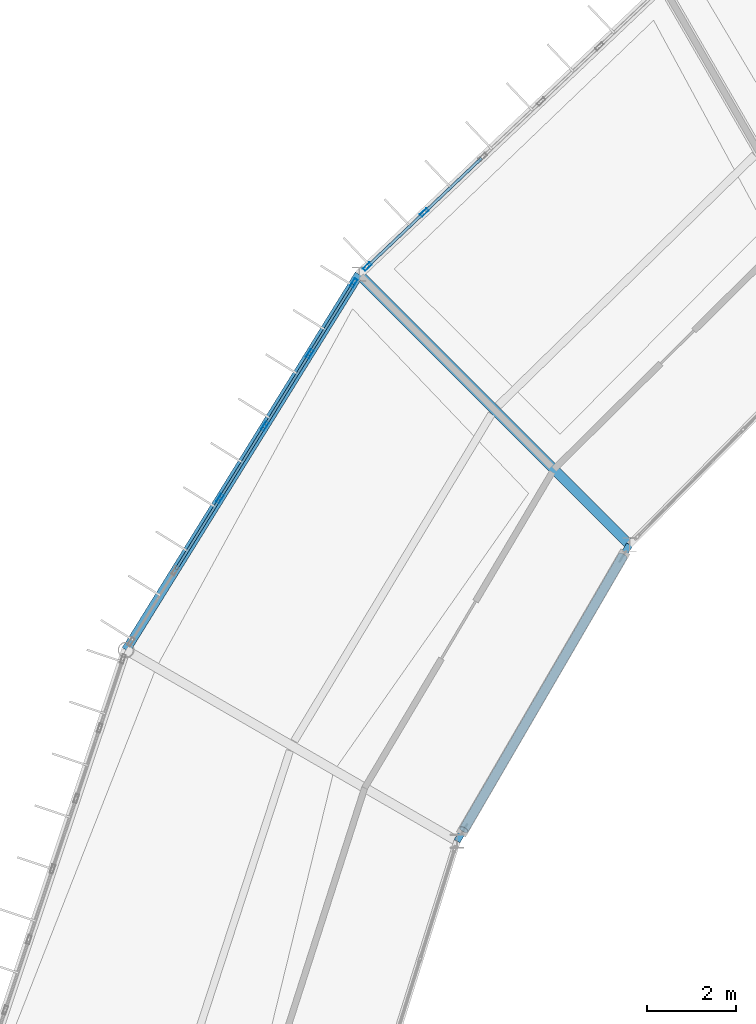
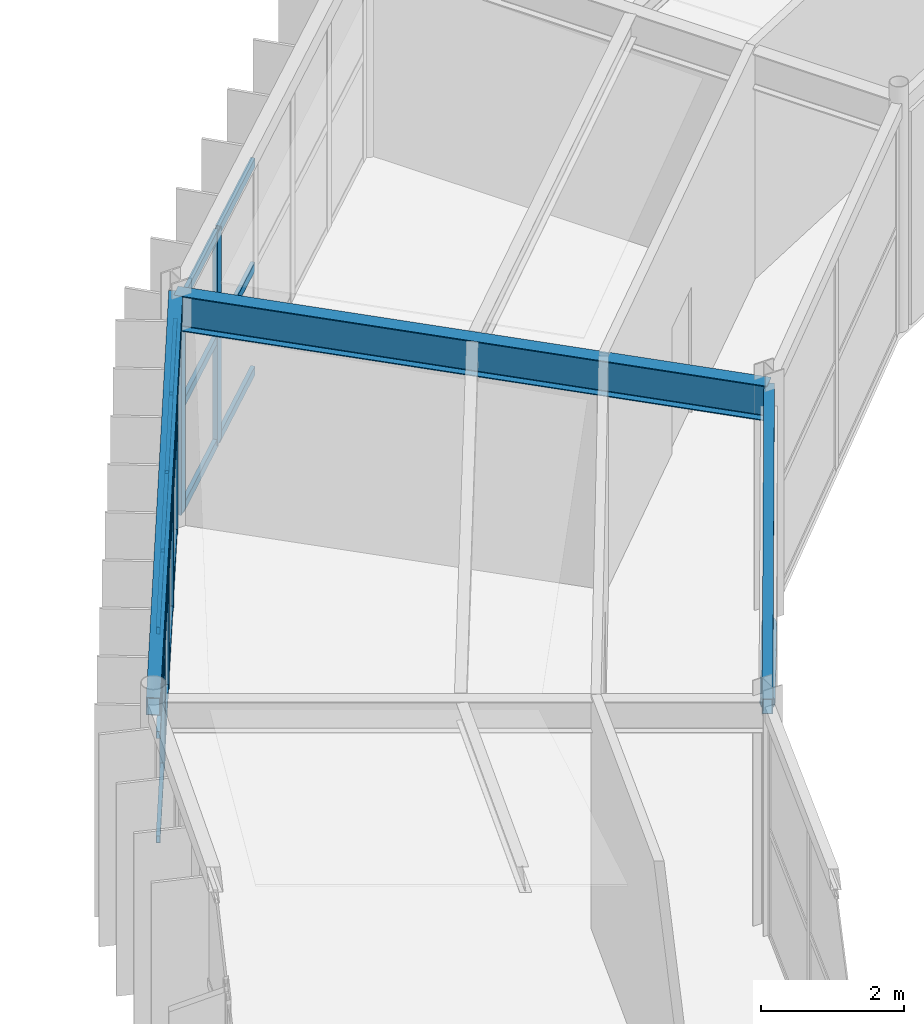
# One storey, part 74 of 147: 25 members, 3 beams, 2 elements without a shape of their own.
"""IFC4 building model written with IfcOpenShell, lengths in metres."""

import ifcopenshell
import ifcopenshell.guid

model = None  # the IFC model being written
_history = None  # IfcOwnerHistory: only IFC2X3 demands one
_inside = {}  # id of a spatial element -> (the spatial element, [elements in it])
_under = {}  # id of a project, library or spatial element -> (it, [spatial elements below it])
_declared = {}  # id of a project -> (the project, [libraries it declares])
_typed = {}  # id of a type object -> (the type object, [elements of that type])
_made_of = {}  # id of a material, layer set ... -> (it, [elements and type objects made of it])


def new_model(schema):
    """Start an empty IFC model of exactly this schema.

    Asked for "IFC4X3", IfcOpenShell would pick the latest addendum, in which some entities
    have other attributes; the version numbers below select the first issue.
    IFC2X3 requires an IfcOwnerHistory on every rooted entity: one is made here for all.
    """
    global model, _history
    if schema == "IFC4X3":
        model = ifcopenshell.file(schema_version=(4, 3, 0, 0))
    else:
        model = ifcopenshell.file(schema=schema)
    _inside.clear()
    _under.clear()
    _declared.clear()
    _typed.clear()
    _made_of.clear()
    _history = None
    if model.schema == "IFC2X3":
        org = make("IfcOrganization", Name="unknown")
        user = make(
            "IfcPersonAndOrganization",
            ThePerson=make("IfcPerson", FamilyName="unknown"),
            TheOrganization=org,
        )
        app = make(
            "IfcApplication",
            ApplicationDeveloper=org,
            Version="unknown",
            ApplicationFullName="unknown",
            ApplicationIdentifier="unknown",
        )
        _history = make(
            "IfcOwnerHistory",
            OwningUser=user,
            OwningApplication=app,
            ChangeAction="ADDED",
            CreationDate=0,
        )
    return model


def make(cls, **values):
    """One entity of the class cls with the attributes given. An attribute that is None is left unset."""
    return model.create_entity(
        cls, **{name: value for name, value in values.items() if value is not None}
    )


def rooted(cls, **values):
    """An entity with a GlobalId (a new one), such as an element, a storey or a relation."""
    return make(cls, GlobalId=ifcopenshell.guid.new(), OwnerHistory=_history, **values)


def si_unit(unit_type, name, prefix=None):
    """IfcSIUnit, for example si_unit("LENGTHUNIT", "METRE", prefix="MILLI")."""
    return make("IfcSIUnit", UnitType=unit_type, Prefix=prefix, Name=name)


def assignment(units):
    """IfcUnitAssignment: the units of a project."""
    return None if units is None else make("IfcUnitAssignment", Units=units)


def point(xyz):
    """IfcCartesianPoint."""
    return None if xyz is None else make("IfcCartesianPoint", Coordinates=xyz)


def direction(xyz):
    """IfcDirection."""
    return None if xyz is None else make("IfcDirection", DirectionRatios=xyz)


def frame(location, z_axis=None, x_axis=None):
    """IfcAxis2Placement3D, a coordinate frame: its origin and axes. An axis left out is left unset."""
    return make(
        "IfcAxis2Placement3D",
        Location=point(location),
        Axis=direction(z_axis),
        RefDirection=direction(x_axis),
    )


def frame_2d(location, x_axis=None):
    """IfcAxis2Placement2D, a coordinate frame in the plane: its origin and x axis."""
    return make(
        "IfcAxis2Placement2D", Location=point(location), RefDirection=direction(x_axis)
    )


def origin():
    """The frame at (0, 0, 0) with its axes left unset."""
    return frame((0.0, 0.0, 0.0))


def origin_2d():
    """The frame at (0, 0) in the plane with its x axis left unset."""
    return frame_2d((0.0, 0.0))


def place(relative_to, where):
    """IfcLocalPlacement: puts the frame where relative to a parent placement (None: the world)."""
    return make(
        "IfcLocalPlacement", PlacementRelTo=relative_to, RelativePlacement=where
    )


def context(
    kind, dimensions, precision=None, world=None, true_north=None, identifier=None
):
    """IfcGeometricRepresentationContext, for example the 3D "Model" context."""
    return make(
        "IfcGeometricRepresentationContext",
        ContextIdentifier=identifier,
        ContextType=kind,
        CoordinateSpaceDimension=dimensions,
        Precision=precision,
        WorldCoordinateSystem=world,
        TrueNorth=true_north,
    )


def subcontext(parent, identifier, kind, view, scale=None):
    """IfcGeometricRepresentationSubContext, for example "Body" below "Model"."""
    return make(
        "IfcGeometricRepresentationSubContext",
        ContextIdentifier=identifier,
        ContextType=kind,
        ParentContext=parent,
        TargetScale=scale,
        TargetView=view,
    )


def project(units=None, contexts=None):
    """IfcProject with its units and contexts."""
    return rooted(
        "IfcProject",
        Name="project",
        RepresentationContexts=contexts,
        UnitsInContext=assignment(units),
    )


def spatial(cls, under=None, at=None, **own):
    """A site, building, storey or space (cls), placed at a placement, below another one or the project."""
    s = rooted(cls, ObjectPlacement=at, **own)
    if under is not None:
        _under.setdefault(under.id(), (under, []))[1].append(s)
    return s


def profile(cls, at=None, kind="AREA", **sizes):
    """A parametric profile (cls). Its sizes go by their IFC names, for example OverallWidth=200.0."""
    return make(cls, ProfileType=kind, Position=at, **sizes)


def hollow_rectangle(**sizes):
    """IfcRectangleHollowProfileDef."""
    return profile("IfcRectangleHollowProfileDef", **sizes)


def hollow_circle(**sizes):
    """IfcCircleHollowProfileDef."""
    return profile("IfcCircleHollowProfileDef", **sizes)


def i_section(**sizes):
    """IfcIShapeProfileDef."""
    return profile("IfcIShapeProfileDef", **sizes)


def extrude(swept, where, along, depth):
    """IfcExtrudedAreaSolid: the profile swept, set in the frame where, extruded along a direction by depth."""
    return make(
        "IfcExtrudedAreaSolid",
        SweptArea=swept,
        Position=where,
        ExtrudedDirection=direction(along),
        Depth=depth,
    )


def shape(context_of_items, identifier, shape_type, items):
    """IfcShapeRepresentation: the items that make up one representation, for example the "Body"."""
    return make(
        "IfcShapeRepresentation",
        ContextOfItems=context_of_items,
        RepresentationIdentifier=identifier,
        RepresentationType=shape_type,
        Items=items,
    )


def material(Name=None, Category=None):
    """IfcMaterial."""
    return make("IfcMaterial", Name=Name, Category=Category)


def material_profile(
    of_material, cross_section, Name=None, Category=None, Priority=None
):
    """IfcMaterialProfile: a cross section and its material."""
    return make(
        "IfcMaterialProfile",
        Name=Name,
        Material=of_material,
        Profile=cross_section,
        Priority=Priority,
        Category=Category,
    )


def profile_set(profiles, Name=None, composite=None):
    """IfcMaterialProfileSet."""
    return make(
        "IfcMaterialProfileSet",
        Name=Name,
        MaterialProfiles=profiles,
        CompositeProfile=composite,
    )


def made_of(thing, what):
    """Note that an element or type object is made of a material, layer set ...; save() writes the relation."""
    if what is not None:
        _made_of.setdefault(what.id(), (what, []))[1].append(thing)
    return thing


def type_object(cls, material=None, **own):
    """A type object (cls), such as IfcWallType, which elements share."""
    return made_of(rooted(cls, **own), material)


def element(
    cls,
    number,
    at=None,
    inside=None,
    cuts=None,
    type_object=None,
    material=None,
    context=None,
    identifier="Body",
    shape_type=None,
    held_by="IfcProductDefinitionShape",
    body=None,
    shapes=None,
    **own,
):
    """One element of the class cls, such as IfcWall. Its Tag is "e" and its number.

    at: its placement. inside: the storey or other place that contains it. cuts: it is an
    opening in that element (IfcRelVoidsElement). A single representation is given by context,
    identifier, shape_type and body (its items); several are given by shapes. held_by: the class
    of the entity that holds the representations. save() writes the other relations.
    """
    e = rooted(cls, Tag="e%d" % number, ObjectPlacement=at, **own)
    if body is not None:
        shapes = [shape(context, identifier, shape_type, body)]
    if shapes is not None:
        e.Representation = make(held_by, Representations=shapes)
    if inside is not None:
        _inside.setdefault(inside.id(), (inside, []))[1].append(e)
    if cuts is not None:
        rooted(
            "IfcRelVoidsElement", RelatingBuildingElement=cuts, RelatedOpeningElement=e
        )
    if type_object is not None:
        _typed.setdefault(type_object.id(), (type_object, []))[1].append(e)
    return made_of(e, material)


def aggregate(whole, parts):
    """IfcRelAggregates: a whole, such as a stair, and the parts it consists of."""
    return rooted("IfcRelAggregates", RelatingObject=whole, RelatedObjects=parts)


def save(model, path):
    """Write the relations noted so far, then the file.

    IfcRelAggregates (storeys below a building ...), IfcRelContainedInSpatialStructure (elements
    in a storey), IfcRelDefinesByType, IfcRelAssociatesMaterial and IfcRelDeclares: one each for
    every whole, place, type object, material and project.
    """
    for whole, parts in _under.values():
        aggregate(whole, parts)
    for where, things in _inside.values():
        rooted(
            "IfcRelContainedInSpatialStructure",
            RelatedElements=things,
            RelatingStructure=where,
        )
    for kind, things in _typed.values():
        rooted("IfcRelDefinesByType", RelatedObjects=things, RelatingType=kind)
    for what, things in _made_of.values():
        rooted("IfcRelAssociatesMaterial", RelatedObjects=things, RelatingMaterial=what)
    for by, libraries in _declared.values():
        rooted("IfcRelDeclares", RelatingContext=by, RelatedDefinitions=libraries)
    model.write(path)


model = new_model("IFC4")

# Units and contexts
model_context = context("Model", 3, precision=1e-05, world=origin(), true_north=direction((0.0, 1.0)))
body_context = subcontext(model_context, "Body", "Model", "MODEL_VIEW")
ifc_project = project(units=[si_unit("LENGTHUNIT", "METRE"), si_unit("AREAUNIT", "SQUARE_METRE"), si_unit("VOLUMEUNIT", "CUBIC_METRE"), si_unit("PLANEANGLEUNIT", "RADIAN"), si_unit("MASSUNIT", "GRAM", prefix="KILO")], contexts=[model_context])

# Site, building, storey
site_placement = place(None, origin())
site = spatial("IfcSite", under=ifc_project, at=site_placement, CompositionType="ELEMENT")
building_placement = place(site_placement, origin())
building = spatial("IfcBuilding", under=site, at=building_placement, Name="Karori Crest Natural Sciences Institute", CompositionType="ELEMENT")
storey_placement = place(building_placement, frame((0.0, 0.0, 9.10009765625)))
storey = spatial("IfcBuildingStorey", under=building, at=storey_placement, Name="L02", CompositionType="ELEMENT", Elevation=9.10009765625)

# Beams
ifc_material_1 = material(Name="Hollow structural steel AS/NZS 1163 Grade C350", Category="steel")
ifc_material_profile_1 = material_profile(ifc_material_1, hollow_rectangle(XDim=0.199951171875, YDim=0.300048828125, WallThickness=0.010009765625, at=origin_2d()), Name="RHS300x200x10")
ifc_profile_set_1 = profile_set([ifc_material_profile_1], Name="Hollow structural steel AS/NZS 1163 Grade C350")
beam_type_1 = type_object("IfcBeamType", Name="BT-15", PredefinedType="SPANDREL", material=ifc_profile_set_1)
beam_1_placement = place(storey_placement, frame((43.0654296875, 78.75, 3.789794921875), z_axis=(-0.527315195609, -0.849669750244, 0.0), x_axis=(0.849669750244, -0.527315195609, 0.0)))
element("IfcBeam", 1, at=beam_1_placement, inside=storey, type_object=beam_type_1, Name="Beam B-0305", PredefinedType="SPANDREL", context=body_context, shape_type="SweptSolid", body=[
    extrude(hollow_rectangle(XDim=0.199951171875, YDim=0.300048828125, WallThickness=0.010009765625, at=origin_2d()), origin(), (0.0, 0.0, 1.0), 9.945068359375),
])
ifc_material_profile_2 = material_profile(ifc_material_1, hollow_rectangle(XDim=0.14990234375, YDim=0.25, WallThickness=0.009033203125, at=origin_2d()), Name="RHS250x150x9")
ifc_profile_set_2 = profile_set([ifc_material_profile_2], Name="Hollow structural steel AS/NZS 1163 Grade C350")
beam_type_2 = type_object("IfcBeamType", Name="BT-16", PredefinedType="SPANDREL", material=ifc_profile_set_2)
beam_2_placement = place(storey_placement, frame((49.146484375, 72.668701171875, 3.789794921875), z_axis=(-0.502648511326, -0.864490875638, 0.0), x_axis=(0.864490875638, -0.502648511326, 0.0)))
element("IfcBeam", 2, at=beam_2_placement, inside=storey, type_object=beam_type_2, Name="Beam B-0306", PredefinedType="SPANDREL", context=body_context, shape_type="SweptSolid", body=[
    extrude(hollow_rectangle(XDim=0.14990234375, YDim=0.25, WallThickness=0.009033203125, at=origin_2d()), origin(), (0.0, 0.0, 1.0), 7.714111328125),
])
ifc_material_2 = material(Name="Structural steel AS/NZS 3679.1 Grade 350", Category="steel")
ifc_material_profile_3 = material_profile(ifc_material_2, i_section(OverallWidth=0.22802734375, OverallDepth=0.60205078125, WebThickness=0.010498046875, FlangeThickness=0.014892578125, FilletRadius=0.013916015625, at=origin_2d()), Name="610UB101")
ifc_profile_set_3 = profile_set([ifc_material_profile_3], Name="Structural steel AS/NZS 3679.1 Grade 350")
beam_type_3 = type_object("IfcBeamType", Name="BT-27", PredefinedType="BEAM", material=ifc_profile_set_3)
beam_3_placement = place(storey_placement, frame((49.146484375, 72.668701171875, 3.638916015625), z_axis=(-0.707092586958, 0.70712097513, 0.0), x_axis=(-0.70712097513, -0.707092586958, 0.0)))
element("IfcBeam", 3, at=beam_3_placement, inside=storey, type_object=beam_type_3, Name="Beam B-0307", PredefinedType="BEAM", context=body_context, shape_type="SweptSolid", body=[
    extrude(i_section(OverallWidth=0.22802734375, OverallDepth=0.60205078125, WebThickness=0.010498046875, FlangeThickness=0.014892578125, FilletRadius=0.013916015625, at=origin_2d()), origin(), (0.0, 0.0, 1.0), 8.60009765625),
])

# Curtain wall, members
ifc_material_3 = material(Name="Anodised architectural aluminium 6063-T6", Category="aluminium")
curtain_wall_type_1 = type_object("IfcCurtainWallType", Name="CWT-09", PredefinedType="NOTDEFINED", material=ifc_material_3)
curtain_wall_1_placement = place(storey_placement, origin())
curtain_wall_1 = element("IfcCurtainWall", 4, at=curtain_wall_1_placement, inside=storey, type_object=curtain_wall_type_1, Name="Curtain wall CW-0077", PredefinedType="NOTDEFINED")
ifc_material_profile_4 = material_profile(ifc_material_3, hollow_rectangle(XDim=0.074951171875, YDim=0.199951171875, WallThickness=0.0048828125, at=origin_2d()), Name="CWM200x75x5")
ifc_profile_set_4 = profile_set([ifc_material_profile_4], Name="Anodised architectural aluminium 6063-T6")
member_type_1 = type_object("IfcMemberType", Name="CWM-02", PredefinedType="MULLION", material=ifc_profile_set_4)
member_1_placement = place(storey_placement, frame((43.246826171875, 78.921875, 0.0), z_axis=(0.0, 0.0, 1.0), x_axis=(-0.688250886925, 0.725472753897, 0.0)))
member_1 = element("IfcMember", 5, at=member_1_placement, type_object=member_type_1, Name="CW-0077 mullion 1", PredefinedType="MULLION", context=body_context, shape_type="SweptSolid", body=[
    extrude(hollow_rectangle(XDim=0.074951171875, YDim=0.199951171875, WallThickness=0.0048828125, at=origin_2d()), origin(), (0.0, 0.0, 1.0), 3.625),
])
member_2_placement = place(storey_placement, frame((44.532470703125, 80.1416015625, 0.0), z_axis=(0.0, 0.0, 1.0), x_axis=(-0.688250886925, 0.725472753897, 0.0)))
member_2 = element("IfcMember", 6, at=member_2_placement, type_object=member_type_1, Name="CW-0077 mullion 2", PredefinedType="MULLION", context=body_context, shape_type="SweptSolid", body=[
    extrude(hollow_rectangle(XDim=0.074951171875, YDim=0.199951171875, WallThickness=0.0048828125, at=origin_2d()), origin(), (0.0, 0.0, 1.0), 3.625),
])

curtain_wall_type_2 = type_object("IfcCurtainWallType", Name="CWT-10", PredefinedType="NOTDEFINED", material=ifc_material_3)
curtain_wall_2_placement = place(storey_placement, origin())
curtain_wall_2 = element("IfcCurtainWall", 7, at=curtain_wall_2_placement, inside=storey, type_object=curtain_wall_type_2, Name="Curtain wall CW-0079", PredefinedType="NOTDEFINED")
member_3_placement = place(storey_placement, frame((39.934326171875, 73.704833984375, 0.0), z_axis=(0.0, 0.0, 1.0), x_axis=(-0.849662102168, 0.527327518853, 0.0)))
member_3 = element("IfcMember", 8, at=member_3_placement, type_object=member_type_1, Name="CW-0079 mullion 3", PredefinedType="MULLION", context=body_context, shape_type="SweptSolid", body=[
    extrude(hollow_rectangle(XDim=0.074951171875, YDim=0.199951171875, WallThickness=0.0048828125, at=origin_2d()), origin(), (0.0, 0.0, 1.0), 3.625),
])
member_4_placement = place(storey_placement, frame((40.944580078125, 75.332763671875, 0.0), z_axis=(0.0, 0.0, 1.0), x_axis=(-0.849662102168, 0.527327518853, 0.0)))
member_4 = element("IfcMember", 9, at=member_4_placement, type_object=member_type_1, Name="CW-0079 mullion 4", PredefinedType="MULLION", context=body_context, shape_type="SweptSolid", body=[
    extrude(hollow_rectangle(XDim=0.074951171875, YDim=0.199951171875, WallThickness=0.0048828125, at=origin_2d()), origin(), (0.0, 0.0, 1.0), 3.625),
])
member_5_placement = place(storey_placement, frame((41.954833984375, 76.96044921875, 0.0), z_axis=(0.0, 0.0, 1.0), x_axis=(-0.849662102168, 0.527327518853, 0.0)))
member_5 = element("IfcMember", 10, at=member_5_placement, type_object=member_type_1, Name="CW-0079 mullion 5", PredefinedType="MULLION", context=body_context, shape_type="SweptSolid", body=[
    extrude(hollow_rectangle(XDim=0.074951171875, YDim=0.199951171875, WallThickness=0.0048828125, at=origin_2d()), origin(), (0.0, 0.0, 1.0), 3.625),
])
member_6_placement = place(storey_placement, frame((42.9453125, 78.556396484375, 0.0), z_axis=(0.0, 0.0, 1.0), x_axis=(-0.849662102168, 0.527327518853, 0.0)))
member_6 = element("IfcMember", 11, at=member_6_placement, type_object=member_type_1, Name="CW-0079 mullion 6", PredefinedType="MULLION", context=body_context, shape_type="SweptSolid", body=[
    extrude(hollow_rectangle(XDim=0.074951171875, YDim=0.199951171875, WallThickness=0.0048828125, at=origin_2d()), origin(), (0.0, 0.0, 1.0), 3.625),
])
ifc_material_profile_5 = material_profile(ifc_material_3, hollow_rectangle(XDim=0.06005859375, YDim=0.1201171875, WallThickness=0.00390625, at=origin_2d()), Name="CWT120x60x4")
ifc_profile_set_5 = profile_set([ifc_material_profile_5], Name="Anodised architectural aluminium 6063-T6")
member_type_2 = type_object("IfcMemberType", Name="CWT-TR1", PredefinedType="USERDEFINED", material=ifc_profile_set_5)
member_7_placement = place(storey_placement, frame((38.94384765625, 72.109130859375, 0.02978515625), z_axis=(0.527349655317, 0.84964836317, 0.0), x_axis=(-0.84964836317, 0.527349655317, 0.0)))
member_7 = element("IfcMember", 12, at=member_7_placement, type_object=member_type_2, Name="CW-0079 transom 2.1", ObjectType="TRANSOM", PredefinedType="USERDEFINED", context=body_context, shape_type="SweptSolid", body=[
    extrude(hollow_rectangle(XDim=0.06005859375, YDim=0.1201171875, WallThickness=0.00390625, at=origin_2d()), origin(), (0.0, 0.0, 1.0), 1.8408203125),
])
member_8_placement = place(storey_placement, frame((38.94384765625, 72.109130859375, 1.8125), z_axis=(0.527349655317, 0.84964836317, 0.0), x_axis=(-0.84964836317, 0.527349655317, 0.0)))
member_8 = element("IfcMember", 13, at=member_8_placement, type_object=member_type_2, Name="CW-0079 transom 2.2", ObjectType="TRANSOM", PredefinedType="USERDEFINED", context=body_context, shape_type="SweptSolid", body=[
    extrude(hollow_rectangle(XDim=0.06005859375, YDim=0.1201171875, WallThickness=0.00390625, at=origin_2d()), origin(), (0.0, 0.0, 1.0), 1.8408203125),
])
member_9_placement = place(storey_placement, frame((38.94384765625, 72.109130859375, 3.594970703125), z_axis=(0.527349655317, 0.84964836317, 0.0), x_axis=(-0.84964836317, 0.527349655317, 0.0)))
member_9 = element("IfcMember", 14, at=member_9_placement, type_object=member_type_2, Name="CW-0079 transom 2.3", ObjectType="TRANSOM", PredefinedType="USERDEFINED", context=body_context, shape_type="SweptSolid", body=[
    extrude(hollow_rectangle(XDim=0.06005859375, YDim=0.1201171875, WallThickness=0.00390625, at=origin_2d()), origin(), (0.0, 0.0, 1.0), 1.8408203125),
])
member_10_placement = place(storey_placement, frame((39.9541015625, 73.73681640625, 0.02978515625), z_axis=(0.527349655317, 0.84964836317, 0.0), x_axis=(-0.84964836317, 0.527349655317, 0.0)))
member_10 = element("IfcMember", 15, at=member_10_placement, type_object=member_type_2, Name="CW-0079 transom 3.1", ObjectType="TRANSOM", PredefinedType="USERDEFINED", context=body_context, shape_type="SweptSolid", body=[
    extrude(hollow_rectangle(XDim=0.06005859375, YDim=0.1201171875, WallThickness=0.00390625, at=origin_2d()), origin(), (0.0, 0.0, 1.0), 1.8408203125),
])
member_11_placement = place(storey_placement, frame((39.9541015625, 73.73681640625, 1.8125), z_axis=(0.527349655317, 0.84964836317, 0.0), x_axis=(-0.84964836317, 0.527349655317, 0.0)))
member_11 = element("IfcMember", 16, at=member_11_placement, type_object=member_type_2, Name="CW-0079 transom 3.2", ObjectType="TRANSOM", PredefinedType="USERDEFINED", context=body_context, shape_type="SweptSolid", body=[
    extrude(hollow_rectangle(XDim=0.06005859375, YDim=0.1201171875, WallThickness=0.00390625, at=origin_2d()), origin(), (0.0, 0.0, 1.0), 1.8408203125),
])
member_12_placement = place(storey_placement, frame((39.9541015625, 73.73681640625, 3.594970703125), z_axis=(0.527349655317, 0.84964836317, 0.0), x_axis=(-0.84964836317, 0.527349655317, 0.0)))
member_12 = element("IfcMember", 17, at=member_12_placement, type_object=member_type_2, Name="CW-0079 transom 3.3", ObjectType="TRANSOM", PredefinedType="USERDEFINED", context=body_context, shape_type="SweptSolid", body=[
    extrude(hollow_rectangle(XDim=0.06005859375, YDim=0.1201171875, WallThickness=0.00390625, at=origin_2d()), origin(), (0.0, 0.0, 1.0), 1.8408203125),
])
member_13_placement = place(storey_placement, frame((40.96435546875, 75.364501953125, 0.02978515625), z_axis=(0.527349655317, 0.84964836317, 0.0), x_axis=(-0.84964836317, 0.527349655317, 0.0)))
member_13 = element("IfcMember", 18, at=member_13_placement, type_object=member_type_2, Name="CW-0079 transom 4.1", ObjectType="TRANSOM", PredefinedType="USERDEFINED", context=body_context, shape_type="SweptSolid", body=[
    extrude(hollow_rectangle(XDim=0.06005859375, YDim=0.1201171875, WallThickness=0.00390625, at=origin_2d()), origin(), (0.0, 0.0, 1.0), 1.8408203125),
])
member_14_placement = place(storey_placement, frame((40.96435546875, 75.364501953125, 1.8125), z_axis=(0.527349655317, 0.84964836317, 0.0), x_axis=(-0.84964836317, 0.527349655317, 0.0)))
member_14 = element("IfcMember", 19, at=member_14_placement, type_object=member_type_2, Name="CW-0079 transom 4.2", ObjectType="TRANSOM", PredefinedType="USERDEFINED", context=body_context, shape_type="SweptSolid", body=[
    extrude(hollow_rectangle(XDim=0.06005859375, YDim=0.1201171875, WallThickness=0.00390625, at=origin_2d()), origin(), (0.0, 0.0, 1.0), 1.8408203125),
])
member_15_placement = place(storey_placement, frame((40.96435546875, 75.364501953125, 3.594970703125), z_axis=(0.527349655317, 0.84964836317, 0.0), x_axis=(-0.84964836317, 0.527349655317, 0.0)))
member_15 = element("IfcMember", 20, at=member_15_placement, type_object=member_type_2, Name="CW-0079 transom 4.3", ObjectType="TRANSOM", PredefinedType="USERDEFINED", context=body_context, shape_type="SweptSolid", body=[
    extrude(hollow_rectangle(XDim=0.06005859375, YDim=0.1201171875, WallThickness=0.00390625, at=origin_2d()), origin(), (0.0, 0.0, 1.0), 1.8408203125),
])
member_16_placement = place(storey_placement, frame((41.974609375, 76.9921875, 0.02978515625), z_axis=(0.527319050253, 0.849667357994, 0.0), x_axis=(-0.849667357994, 0.527319050253, 0.0)))
member_16 = element("IfcMember", 21, at=member_16_placement, type_object=member_type_2, Name="CW-0079 transom 5.1", ObjectType="TRANSOM", PredefinedType="USERDEFINED", context=body_context, shape_type="SweptSolid", body=[
    extrude(hollow_rectangle(XDim=0.06005859375, YDim=0.1201171875, WallThickness=0.00390625, at=origin_2d()), origin(), (0.0, 0.0, 1.0), 1.80322265625),
])
member_17_placement = place(storey_placement, frame((41.974609375, 76.9921875, 1.8125), z_axis=(0.527319050253, 0.849667357994, 0.0), x_axis=(-0.849667357994, 0.527319050253, 0.0)))
member_17 = element("IfcMember", 22, at=member_17_placement, type_object=member_type_2, Name="CW-0079 transom 5.2", ObjectType="TRANSOM", PredefinedType="USERDEFINED", context=body_context, shape_type="SweptSolid", body=[
    extrude(hollow_rectangle(XDim=0.06005859375, YDim=0.1201171875, WallThickness=0.00390625, at=origin_2d()), origin(), (0.0, 0.0, 1.0), 1.80322265625),
])
member_18_placement = place(storey_placement, frame((41.974609375, 76.9921875, 3.594970703125), z_axis=(0.527319050253, 0.849667357994, 0.0), x_axis=(-0.849667357994, 0.527319050253, 0.0)))
member_18 = element("IfcMember", 23, at=member_18_placement, type_object=member_type_2, Name="CW-0079 transom 5.3", ObjectType="TRANSOM", PredefinedType="USERDEFINED", context=body_context, shape_type="SweptSolid", body=[
    extrude(hollow_rectangle(XDim=0.06005859375, YDim=0.1201171875, WallThickness=0.00390625, at=origin_2d()), origin(), (0.0, 0.0, 1.0), 1.80322265625),
])
aggregate(curtain_wall_2, [member_3, member_4, member_5, member_6, member_7, member_8, member_9, member_10, member_11, member_12, member_13, member_14, member_15, member_16, member_17, member_18])

# Member
ifc_material_profile_6 = material_profile(ifc_material_3, hollow_rectangle(XDim=0.06494140625, YDim=0.14990234375, WallThickness=0.00390625, at=origin_2d()), Name="CWT150x65x4")
ifc_profile_set_6 = profile_set([ifc_material_profile_6], Name="Anodised architectural aluminium 6063-T6")
member_type_3 = type_object("IfcMemberType", Name="CWT-TR2", PredefinedType="USERDEFINED", material=ifc_profile_set_6)
member_19_placement = place(storey_placement, frame((43.27392578125, 78.94775390625, 0.032470703125), z_axis=(0.725491325222, 0.6882313107, 0.0), x_axis=(-0.6882313107, 0.725491325222, 0.0)))
member_19 = element("IfcMember", 24, at=member_19_placement, type_object=member_type_3, Name="CW-0077 transom 1.1", ObjectType="TRANSOM", PredefinedType="USERDEFINED", context=body_context, shape_type="SweptSolid", body=[
    extrude(hollow_rectangle(XDim=0.06494140625, YDim=0.14990234375, WallThickness=0.00390625, at=origin_2d()), origin(), (0.0, 0.0, 1.0), 1.697021484375),
])

member_20_placement = place(storey_placement, frame((43.27392578125, 78.94775390625, 1.8125), z_axis=(0.725491325222, 0.6882313107, 0.0), x_axis=(-0.6882313107, 0.725491325222, 0.0)))
member_20 = element("IfcMember", 25, at=member_20_placement, type_object=member_type_3, Name="CW-0077 transom 1.2", ObjectType="TRANSOM", PredefinedType="USERDEFINED", context=body_context, shape_type="SweptSolid", body=[
    extrude(hollow_rectangle(XDim=0.06494140625, YDim=0.14990234375, WallThickness=0.00390625, at=origin_2d()), origin(), (0.0, 0.0, 1.0), 1.697021484375),
])

member_21_placement = place(storey_placement, frame((43.27392578125, 78.94775390625, 3.59228515625), z_axis=(0.725491325222, 0.6882313107, 0.0), x_axis=(-0.6882313107, 0.725491325222, 0.0)))
member_21 = element("IfcMember", 26, at=member_21_placement, type_object=member_type_3, Name="CW-0077 transom 1.3", ObjectType="TRANSOM", PredefinedType="USERDEFINED", context=body_context, shape_type="SweptSolid", body=[
    extrude(hollow_rectangle(XDim=0.06494140625, YDim=0.14990234375, WallThickness=0.00390625, at=origin_2d()), origin(), (0.0, 0.0, 1.0), 1.697021484375),
])

member_22_placement = place(storey_placement, frame((44.5595703125, 80.16748046875, 0.032470703125), z_axis=(0.725508743125, 0.688212949347, 0.0), x_axis=(-0.688212949347, 0.725508743125, 0.0)))
member_22 = element("IfcMember", 27, at=member_22_placement, type_object=member_type_3, Name="CW-0077 transom 2.1", ObjectType="TRANSOM", PredefinedType="USERDEFINED", context=body_context, shape_type="SweptSolid", body=[
    extrude(hollow_rectangle(XDim=0.06494140625, YDim=0.14990234375, WallThickness=0.00390625, at=origin_2d()), origin(), (0.0, 0.0, 1.0), 1.734619140625),
])

member_23_placement = place(storey_placement, frame((44.5595703125, 80.16748046875, 1.8125), z_axis=(0.725508743125, 0.688212949347, 0.0), x_axis=(-0.688212949347, 0.725508743125, 0.0)))
member_23 = element("IfcMember", 28, at=member_23_placement, type_object=member_type_3, Name="CW-0077 transom 2.2", ObjectType="TRANSOM", PredefinedType="USERDEFINED", context=body_context, shape_type="SweptSolid", body=[
    extrude(hollow_rectangle(XDim=0.06494140625, YDim=0.14990234375, WallThickness=0.00390625, at=origin_2d()), origin(), (0.0, 0.0, 1.0), 1.734619140625),
])

member_24_placement = place(storey_placement, frame((44.5595703125, 80.16748046875, 3.59228515625), z_axis=(0.725508743125, 0.688212949347, 0.0), x_axis=(-0.688212949347, 0.725508743125, 0.0)))
member_24 = element("IfcMember", 29, at=member_24_placement, type_object=member_type_3, Name="CW-0077 transom 2.3", ObjectType="TRANSOM", PredefinedType="USERDEFINED", context=body_context, shape_type="SweptSolid", body=[
    extrude(hollow_rectangle(XDim=0.06494140625, YDim=0.14990234375, WallThickness=0.00390625, at=origin_2d()), origin(), (0.0, 0.0, 1.0), 1.734619140625),
])

aggregate(curtain_wall_1, [member_1, member_2, member_19, member_20, member_21, member_22, member_23, member_24])

ifc_material_profile_7 = material_profile(ifc_material_1, hollow_circle(Radius=0.109619140625, WallThickness=0.00830078125, at=origin_2d()), Name="CHS219.1x8.2")
ifc_profile_set_7 = profile_set([ifc_material_profile_7], Name="Hollow structural steel AS/NZS 1163 Grade C350")
member_type_4 = type_object("IfcMemberType", Name="MT-02", PredefinedType="BRACE", material=ifc_profile_set_7)
member_25_placement = place(storey_placement, frame((48.995849609375, 72.409423828125, 0.010009765625), z_axis=(-0.447479339143, -0.769608249631, 0.455483680432), x_axis=(0.864491234315, -0.502647894447, 0.0)))
element("IfcMember", 30, at=member_25_placement, inside=storey, type_object=member_type_4, Name="Diagonal Brace M-0014", PredefinedType="BRACE", context=body_context, shape_type="SweptSolid", body=[
    extrude(hollow_circle(Radius=0.109619140625, WallThickness=0.00830078125, at=origin_2d()), origin(), (0.0, 0.0, 1.0), 7.9912109375),
])

save(model, "model.ifc")
